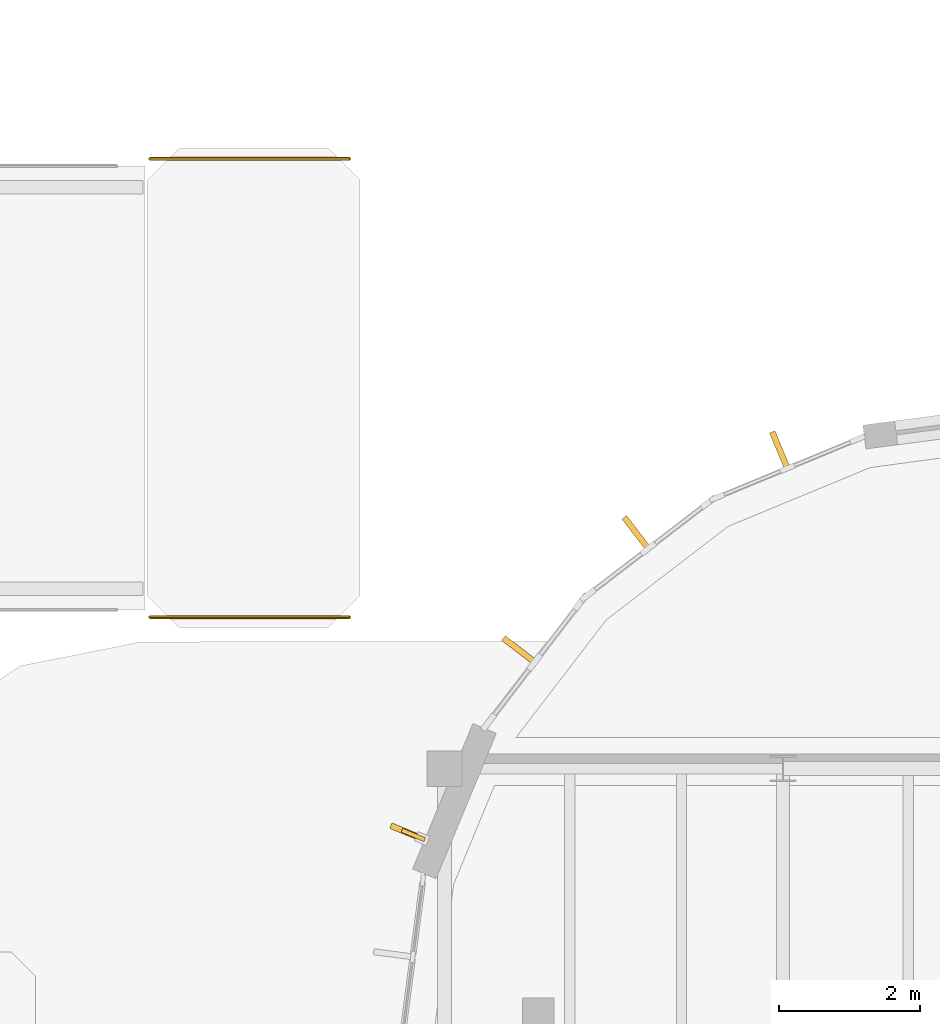
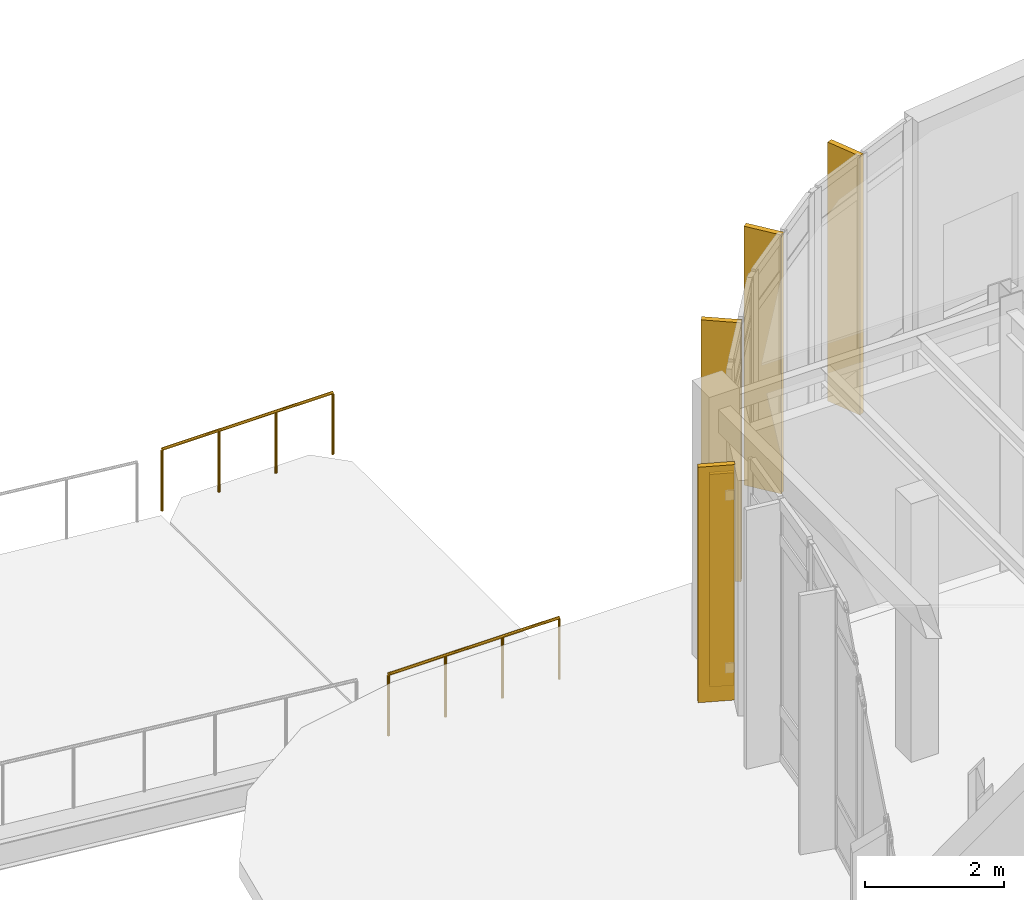
# One storey, part 114 of 120: 4 coverings, 2 railings, 1 shading device.
"""IFC4 building model written with IfcOpenShell, lengths in metres."""

import ifcopenshell
import ifcopenshell.guid

model = None  # the IFC model being written
_history = None  # IfcOwnerHistory: only IFC2X3 demands one
_inside = {}  # id of a spatial element -> (the spatial element, [elements in it])
_under = {}  # id of a project, library or spatial element -> (it, [spatial elements below it])
_declared = {}  # id of a project -> (the project, [libraries it declares])
_typed = {}  # id of a type object -> (the type object, [elements of that type])
_made_of = {}  # id of a material, layer set ... -> (it, [elements and type objects made of it])


def new_model(schema):
    """Start an empty IFC model of exactly this schema.

    Asked for "IFC4X3", IfcOpenShell would pick the latest addendum, in which some entities
    have other attributes; the version numbers below select the first issue.
    IFC2X3 requires an IfcOwnerHistory on every rooted entity: one is made here for all.
    """
    global model, _history
    if schema == "IFC4X3":
        model = ifcopenshell.file(schema_version=(4, 3, 0, 0))
    else:
        model = ifcopenshell.file(schema=schema)
    _inside.clear()
    _under.clear()
    _declared.clear()
    _typed.clear()
    _made_of.clear()
    _history = None
    if model.schema == "IFC2X3":
        org = make("IfcOrganization", Name="unknown")
        user = make(
            "IfcPersonAndOrganization",
            ThePerson=make("IfcPerson", FamilyName="unknown"),
            TheOrganization=org,
        )
        app = make(
            "IfcApplication",
            ApplicationDeveloper=org,
            Version="unknown",
            ApplicationFullName="unknown",
            ApplicationIdentifier="unknown",
        )
        _history = make(
            "IfcOwnerHistory",
            OwningUser=user,
            OwningApplication=app,
            ChangeAction="ADDED",
            CreationDate=0,
        )
    return model


def make(cls, **values):
    """One entity of the class cls with the attributes given. An attribute that is None is left unset."""
    return model.create_entity(
        cls, **{name: value for name, value in values.items() if value is not None}
    )


def rooted(cls, **values):
    """An entity with a GlobalId (a new one), such as an element, a storey or a relation."""
    return make(cls, GlobalId=ifcopenshell.guid.new(), OwnerHistory=_history, **values)


def si_unit(unit_type, name, prefix=None):
    """IfcSIUnit, for example si_unit("LENGTHUNIT", "METRE", prefix="MILLI")."""
    return make("IfcSIUnit", UnitType=unit_type, Prefix=prefix, Name=name)


def assignment(units):
    """IfcUnitAssignment: the units of a project."""
    return None if units is None else make("IfcUnitAssignment", Units=units)


def point(xyz):
    """IfcCartesianPoint."""
    return None if xyz is None else make("IfcCartesianPoint", Coordinates=xyz)


def direction(xyz):
    """IfcDirection."""
    return None if xyz is None else make("IfcDirection", DirectionRatios=xyz)


def frame(location, z_axis=None, x_axis=None):
    """IfcAxis2Placement3D, a coordinate frame: its origin and axes. An axis left out is left unset."""
    return make(
        "IfcAxis2Placement3D",
        Location=point(location),
        Axis=direction(z_axis),
        RefDirection=direction(x_axis),
    )


def frame_2d(location, x_axis=None):
    """IfcAxis2Placement2D, a coordinate frame in the plane: its origin and x axis."""
    return make(
        "IfcAxis2Placement2D", Location=point(location), RefDirection=direction(x_axis)
    )


def origin():
    """The frame at (0, 0, 0) with its axes left unset."""
    return frame((0.0, 0.0, 0.0))


def origin_2d():
    """The frame at (0, 0) in the plane with its x axis left unset."""
    return frame_2d((0.0, 0.0))


def place(relative_to, where):
    """IfcLocalPlacement: puts the frame where relative to a parent placement (None: the world)."""
    return make(
        "IfcLocalPlacement", PlacementRelTo=relative_to, RelativePlacement=where
    )


def context(
    kind, dimensions, precision=None, world=None, true_north=None, identifier=None
):
    """IfcGeometricRepresentationContext, for example the 3D "Model" context."""
    return make(
        "IfcGeometricRepresentationContext",
        ContextIdentifier=identifier,
        ContextType=kind,
        CoordinateSpaceDimension=dimensions,
        Precision=precision,
        WorldCoordinateSystem=world,
        TrueNorth=true_north,
    )


def subcontext(parent, identifier, kind, view, scale=None):
    """IfcGeometricRepresentationSubContext, for example "Body" below "Model"."""
    return make(
        "IfcGeometricRepresentationSubContext",
        ContextIdentifier=identifier,
        ContextType=kind,
        ParentContext=parent,
        TargetScale=scale,
        TargetView=view,
    )


def project(units=None, contexts=None):
    """IfcProject with its units and contexts."""
    return rooted(
        "IfcProject",
        Name="project",
        RepresentationContexts=contexts,
        UnitsInContext=assignment(units),
    )


def spatial(cls, under=None, at=None, **own):
    """A site, building, storey or space (cls), placed at a placement, below another one or the project."""
    s = rooted(cls, ObjectPlacement=at, **own)
    if under is not None:
        _under.setdefault(under.id(), (under, []))[1].append(s)
    return s


def polyline(points):
    """IfcPolyline through the points."""
    return make("IfcPolyline", Points=[point(p) for p in points])


def profile(cls, at=None, kind="AREA", **sizes):
    """A parametric profile (cls). Its sizes go by their IFC names, for example OverallWidth=200.0."""
    return make(cls, ProfileType=kind, Position=at, **sizes)


def rectangle(**sizes):
    """IfcRectangleProfileDef."""
    return profile("IfcRectangleProfileDef", **sizes)


def circle(**sizes):
    """IfcCircleProfileDef."""
    return profile("IfcCircleProfileDef", **sizes)


def outline(outer, holes=None, kind="AREA"):
    """IfcArbitraryClosedProfileDef: a profile drawn as a closed curve; with holes, ...WithVoids."""
    if holes is None:
        return make("IfcArbitraryClosedProfileDef", ProfileType=kind, OuterCurve=outer)
    return make(
        "IfcArbitraryProfileDefWithVoids",
        ProfileType=kind,
        OuterCurve=outer,
        InnerCurves=holes,
    )


def extrude(swept, where, along, depth):
    """IfcExtrudedAreaSolid: the profile swept, set in the frame where, extruded along a direction by depth."""
    return make(
        "IfcExtrudedAreaSolid",
        SweptArea=swept,
        Position=where,
        ExtrudedDirection=direction(along),
        Depth=depth,
    )


def shape(context_of_items, identifier, shape_type, items):
    """IfcShapeRepresentation: the items that make up one representation, for example the "Body"."""
    return make(
        "IfcShapeRepresentation",
        ContextOfItems=context_of_items,
        RepresentationIdentifier=identifier,
        RepresentationType=shape_type,
        Items=items,
    )


def material(Name=None, Category=None):
    """IfcMaterial."""
    return make("IfcMaterial", Name=Name, Category=Category)


def layer(
    of_material, thickness, ventilated=None, Name=None, Category=None, Priority=None
):
    """IfcMaterialLayer: one layer of a wall or slab, of a material (None: an air gap)."""
    return make(
        "IfcMaterialLayer",
        Material=of_material,
        LayerThickness=thickness,
        IsVentilated=ventilated,
        Name=Name,
        Category=Category,
        Priority=Priority,
    )


def layer_set(layers, Name=None):
    """IfcMaterialLayerSet."""
    return make("IfcMaterialLayerSet", MaterialLayers=layers, LayerSetName=Name)


def made_of(thing, what):
    """Note that an element or type object is made of a material, layer set ...; save() writes the relation."""
    if what is not None:
        _made_of.setdefault(what.id(), (what, []))[1].append(thing)
    return thing


def type_object(cls, material=None, **own):
    """A type object (cls), such as IfcWallType, which elements share."""
    return made_of(rooted(cls, **own), material)


def element(
    cls,
    number,
    at=None,
    inside=None,
    cuts=None,
    type_object=None,
    material=None,
    context=None,
    identifier="Body",
    shape_type=None,
    held_by="IfcProductDefinitionShape",
    body=None,
    shapes=None,
    **own,
):
    """One element of the class cls, such as IfcWall. Its Tag is "e" and its number.

    at: its placement. inside: the storey or other place that contains it. cuts: it is an
    opening in that element (IfcRelVoidsElement). A single representation is given by context,
    identifier, shape_type and body (its items); several are given by shapes. held_by: the class
    of the entity that holds the representations. save() writes the other relations.
    """
    e = rooted(cls, Tag="e%d" % number, ObjectPlacement=at, **own)
    if body is not None:
        shapes = [shape(context, identifier, shape_type, body)]
    if shapes is not None:
        e.Representation = make(held_by, Representations=shapes)
    if inside is not None:
        _inside.setdefault(inside.id(), (inside, []))[1].append(e)
    if cuts is not None:
        rooted(
            "IfcRelVoidsElement", RelatingBuildingElement=cuts, RelatedOpeningElement=e
        )
    if type_object is not None:
        _typed.setdefault(type_object.id(), (type_object, []))[1].append(e)
    return made_of(e, material)


def aggregate(whole, parts):
    """IfcRelAggregates: a whole, such as a stair, and the parts it consists of."""
    return rooted("IfcRelAggregates", RelatingObject=whole, RelatedObjects=parts)


def save(model, path):
    """Write the relations noted so far, then the file.

    IfcRelAggregates (storeys below a building ...), IfcRelContainedInSpatialStructure (elements
    in a storey), IfcRelDefinesByType, IfcRelAssociatesMaterial and IfcRelDeclares: one each for
    every whole, place, type object, material and project.
    """
    for whole, parts in _under.values():
        aggregate(whole, parts)
    for where, things in _inside.values():
        rooted(
            "IfcRelContainedInSpatialStructure",
            RelatedElements=things,
            RelatingStructure=where,
        )
    for kind, things in _typed.values():
        rooted("IfcRelDefinesByType", RelatedObjects=things, RelatingType=kind)
    for what, things in _made_of.values():
        rooted("IfcRelAssociatesMaterial", RelatedObjects=things, RelatingMaterial=what)
    for by, libraries in _declared.values():
        rooted("IfcRelDeclares", RelatingContext=by, RelatedDefinitions=libraries)
    model.write(path)


model = new_model("IFC4")

# Units and contexts
model_context = context("Model", 3, precision=1e-05, world=origin(), true_north=direction((0.0, 1.0)))
body_context = subcontext(model_context, "Body", "Model", "MODEL_VIEW")
ifc_project = project(units=[si_unit("LENGTHUNIT", "METRE"), si_unit("AREAUNIT", "SQUARE_METRE"), si_unit("VOLUMEUNIT", "CUBIC_METRE"), si_unit("PLANEANGLEUNIT", "RADIAN"), si_unit("MASSUNIT", "GRAM", prefix="KILO")], contexts=[model_context])

# Site, building, storey
site_placement = place(None, origin())
site = spatial("IfcSite", under=ifc_project, at=site_placement, CompositionType="ELEMENT")
building_placement = place(site_placement, origin())
building = spatial("IfcBuilding", under=site, at=building_placement, Name="Corveleigh Park Community Centre", CompositionType="ELEMENT")
storey_placement = place(building_placement, origin())
storey = spatial("IfcBuildingStorey", under=building, at=storey_placement, Name="L00", CompositionType="ELEMENT", Elevation=0.0)

# Coverings
ifc_material_1 = material(Name="Warm buff ribbed architectural cladding", Category="masonry")
ifc_layer = layer(ifc_material_1, 0.0849609375, Name="Warm buff ribbed architectural cladding", Category="masonry")
ifc_layer_set = layer_set([ifc_layer], Name="Warm buff ribbed architectural cladding")
covering_type = type_object("IfcCoveringType", Name="COV-CLD-BUF", PredefinedType="CLADDING", material=ifc_layer_set)
covering_1_placement = place(storey_placement, origin())
element("IfcCovering", 1, at=covering_1_placement, inside=storey, type_object=covering_type, Name="V4 L00 Brise-soleil blade 137", PredefinedType="CLADDING", context=body_context, shape_type="SweptSolid", body=[
    extrude(outline(polyline([(134.62890625, 108.426025390625), (134.7080078125, 108.4580078125), (134.486083984375, 108.993896484375), (134.406982421875, 108.9619140625), (134.62890625, 108.426025390625)])), origin(), (0.0, 0.0, 1.0), 4.537109375),
])
covering_2_placement = place(storey_placement, origin())
element("IfcCovering", 2, at=covering_2_placement, inside=storey, type_object=covering_type, Name="V4 L00 Brise-soleil blade 138", PredefinedType="CLADDING", context=body_context, shape_type="SweptSolid", body=[
    extrude(outline(polyline([(132.6669921875, 107.280029296875), (132.73388671875, 107.33203125), (132.381103515625, 107.7919921875), (132.31396484375, 107.739990234375), (132.6669921875, 107.280029296875)])), origin(), (0.0, 0.0, 1.0), 4.537109375),
])
covering_3_placement = place(storey_placement, origin())
element("IfcCovering", 3, at=covering_3_placement, inside=storey, type_object=covering_type, Name="V4 L00 Brise-soleil blade 139", PredefinedType="CLADDING", context=body_context, shape_type="SweptSolid", body=[
    extrude(outline(polyline([(131.068115234375, 105.666015625), (131.1201171875, 105.73291015625), (130.659912109375, 106.0859375), (130.60791015625, 106.01904296875), (131.068115234375, 105.666015625)])), origin(), (0.0, 0.0, 1.0), 4.537109375),
])
covering_4_placement = place(storey_placement, origin())
element("IfcCovering", 4, at=covering_4_placement, inside=storey, type_object=covering_type, Name="V4 L00 Brise-soleil blade 140", PredefinedType="CLADDING", context=body_context, shape_type="SweptSolid", body=[
    extrude(outline(polyline([(129.51611328125, 103.14794921875), (129.548095703125, 103.22607421875), (129.053955078125, 103.430908203125), (129.02099609375, 103.35302734375), (129.51611328125, 103.14794921875)])), origin(), (0.0, 0.0, 1.0), 4.125),
])

# Railings
ifc_material_2 = material(Name="Stainless steel 316 balustrade", Category="steel")
railing_type = type_object("IfcRailingType", Name="RLG-BAL-EXT-1100", PredefinedType="BALUSTRADE", material=ifc_material_2)
for number, where, name in (
    (5, (125.6201171875, 106.35009765625, -1.199951171875), "Vehicle Apron South Guard"),
    (6, (125.6201171875, 112.85009765625, -1.199951171875), "Vehicle Apron North Guard"),
):
    element("IfcRailing", number, at=place(storey_placement, frame(where)), inside=storey, type_object=railing_type, Name=name, PredefinedType="BALUSTRADE", context=body_context, shape_type="SweptSolid", body=[
        extrude(circle(Radius=0.02392578125, at=origin_2d()), frame((0.0, 0.0, 1.076171875), z_axis=(1.0, 0.0, 0.0), x_axis=(0.0, 1.0, 0.0)), (0.0, 0.0, 1.0), 2.829833984375),
        extrude(circle(Radius=0.02099609375, at=origin_2d()), origin(), (0.0, 0.0, 1.0), 1.052001953125),
        extrude(circle(Radius=0.02099609375, at=origin_2d()), frame((0.943359375, 0.0, 0.0)), (0.0, 0.0, 1.0), 1.052001953125),
        extrude(circle(Radius=0.02099609375, at=origin_2d()), frame((1.886474609375, 0.0, 0.0)), (0.0, 0.0, 1.0), 1.052001953125),
        extrude(circle(Radius=0.02099609375, at=origin_2d()), frame((2.829833984375, 0.0, 0.0)), (0.0, 0.0, 1.0), 1.052001953125),
    ])

# Shading device
ifc_material_3 = material(Name="Terracotta-anodised aluminium fin", Category="masonry")
shading_device_type = type_object("IfcShadingDeviceType", Name="SHD-FIN-TER-350", PredefinedType="USERDEFINED", material=ifc_material_3)
shading_device_placement = place(storey_placement, frame((129.35595703125, 103.260009765625, 0.25), z_axis=(0.0, 0.0, 1.0), x_axis=(-0.923738247695, 0.383024346152, 0.0)))
element("IfcShadingDevice", 7, at=shading_device_placement, inside=storey, type_object=shading_device_type, Name="Terracotta brise-soleil fin 25", ObjectType="FIN", PredefinedType="USERDEFINED", context=body_context, shape_type="SweptSolid", body=[
    extrude(rectangle(XDim=0.35009765625, YDim=0.06005859375, at=origin_2d()), origin(), (0.0, 0.0, 1.0), 3.72509765625),
])

save(model, "model.ifc")
